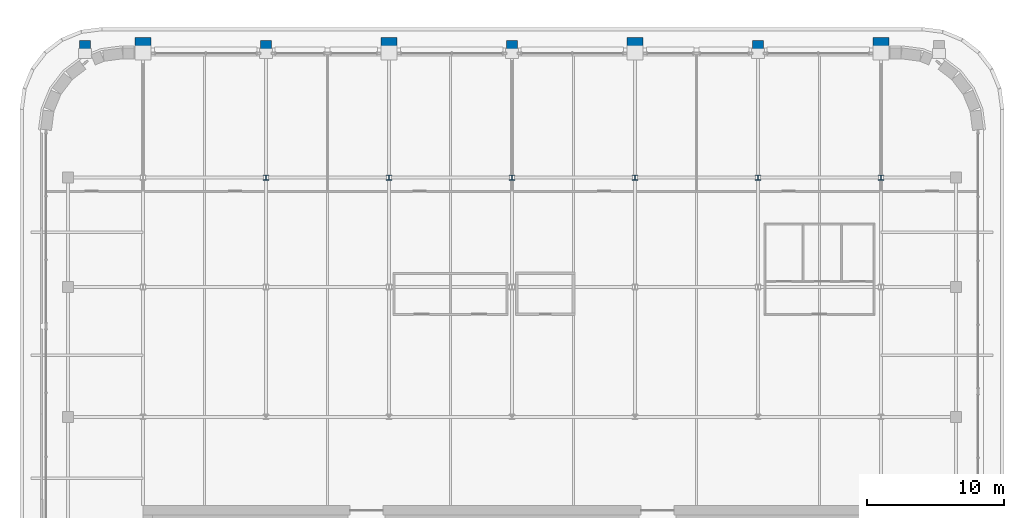
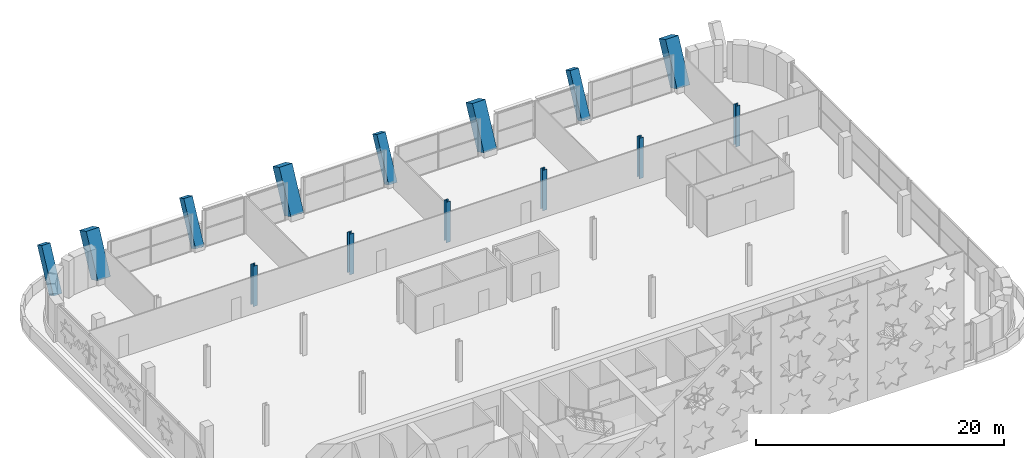
# One storey, part 3 of 25: 14 columns.
"""IFC4 building model written with IfcOpenShell, lengths in metres."""

from ifc_helpers import new_model, si_unit, direction, frame, origin, origin_2d, place, context, subcontext, project, spatial, rectangle, i_section, extrude, clip, halfspace, material, material_profile, profile_set, type_object, element, save


model = new_model("IFC4")

# Units and contexts
model_context = context("Model", 3, precision=1e-05, world=origin(), true_north=direction((0.0, 1.0)))
body_context = subcontext(model_context, "Body", "Model", "MODEL_VIEW")
ifc_project = project(units=[si_unit("LENGTHUNIT", "METRE"), si_unit("AREAUNIT", "SQUARE_METRE"), si_unit("VOLUMEUNIT", "CUBIC_METRE"), si_unit("PLANEANGLEUNIT", "RADIAN"), si_unit("MASSUNIT", "GRAM", prefix="KILO")], contexts=[model_context])

# Site, building, storey
site_placement = place(None, origin())
site = spatial("IfcSite", under=ifc_project, at=site_placement, CompositionType="ELEMENT")
building_placement = place(site_placement, origin())
building = spatial("IfcBuilding", under=site, at=building_placement, Name="Zellij Exchange Tower", CompositionType="ELEMENT")
storey_placement = place(building_placement, frame((0.0, 0.0, 264.5)))
storey = spatial("IfcBuildingStorey", under=building, at=storey_placement, Name="L62", CompositionType="ELEMENT", Elevation=264.5)

# Columns
ifc_material_1 = material(Name="Concrete C50/60", Category="concrete")
ifc_material_profile_1 = material_profile(ifc_material_1, rectangle(XDim=0.800048828125, YDim=0.800048828125, at=origin_2d()), Name="STR-COLUMN RC800x800 C50/60")
ifc_profile_set_1 = profile_set([ifc_material_profile_1], Name="Concrete C50/60")
column_type_1 = type_object("IfcColumnType", Name="STR-COLUMN RC800x800 C50/60", PredefinedType="COLUMN", material=ifc_profile_set_1)
for number, where, z_axis, x_axis, name in (
    (1, (-31.25, 31.0, 0.0), (0.0, 0.4472135955, 0.894427191), (-1.0, 0.0, 0.0), "C15"),
    (2, (-18.0, 31.0, 0.0), (0.0, 0.4472135955, 0.894427191), (-1.0, 0.0, 0.0), "C15"),
    (3, (0.0, 31.0, 0.0), (0.0, 0.4472135955, 0.894427191), (-1.0, 0.0, 0.0), "C15"),
    (4, (18.0, 31.0, 0.0), (0.0, 0.4472135955, 0.894427191), (-1.0, 0.0, 0.0), "C15"),
):
    element("IfcColumn", number, at=place(storey_placement, frame(where, z_axis=z_axis, x_axis=x_axis)), inside=storey, type_object=column_type_1, Name=name, PredefinedType="COLUMN", context=body_context, shape_type="Clipping", body=[
        clip(extrude(rectangle(XDim=0.800048828125, YDim=0.800048828125, at=origin_2d()), origin(), (0.0, 0.0, 1.0), 4.47216796875), halfspace(frame((0.0, 0.0, 0.199951171875)), True)),
    ])
ifc_material_2 = material(Name="Structural steel ASTM A992 Gr 50", Category="steel")
ifc_material_profile_2 = material_profile(ifc_material_2, i_section(OverallWidth=0.398681640625, OverallDepth=0.385986328125, WebThickness=0.02099609375, FlangeThickness=0.033203125, at=origin_2d()), Name="W14x176")
ifc_profile_set_2 = profile_set([ifc_material_profile_2], Name="Structural steel ASTM A992 Gr 50")
column_type_2 = type_object("IfcColumnType", Name="STR-COLUMN W14x176", PredefinedType="COLUMN", material=ifc_profile_set_2)
for number, where, z_axis, x_axis, name in (
    (5, (-18.0, 22.0, 0.0), (0.0, 0.0, 1.0), (1.0, 0.0, 0.0), "C2"),
    (6, (-9.0, 22.0, 0.0), (0.0, 0.0, 1.0), (1.0, 0.0, 0.0), "C2"),
    (7, (0.0, 22.0, 0.0), (0.0, 0.0, 1.0), (1.0, 0.0, 0.0), "C2"),
    (8, (9.0, 22.0, 0.0), (0.0, 0.0, 1.0), (1.0, 0.0, 0.0), "C2"),
    (9, (18.0, 22.0, 0.0), (0.0, 0.0, 1.0), (1.0, 0.0, 0.0), "C2"),
    (10, (27.0, 22.0, 0.0), (0.0, 0.0, 1.0), (1.0, 0.0, 0.0), "C2"),
):
    element("IfcColumn", number, at=place(storey_placement, frame(where, z_axis=z_axis, x_axis=x_axis)), inside=storey, type_object=column_type_2, Name=name, PredefinedType="COLUMN", context=body_context, shape_type="SweptSolid", body=[
        extrude(i_section(OverallWidth=0.398681640625, OverallDepth=0.385986328125, WebThickness=0.02099609375, FlangeThickness=0.033203125, at=origin_2d()), origin(), (0.0, 0.0, 1.0), 4.0),
    ])
ifc_material_profile_3 = material_profile(ifc_material_1, rectangle(XDim=1.199951171875, YDim=1.199951171875, at=origin_2d()), Name="STR-MEGA COLUMN RC1200x1200 C50/60")
ifc_profile_set_3 = profile_set([ifc_material_profile_3], Name="Concrete C50/60")
column_type_3 = type_object("IfcColumnType", Name="STR-MEGA COLUMN RC1200x1200 C50/60", PredefinedType="COLUMN", material=ifc_profile_set_3)
for number, where, z_axis, x_axis, name in (
    (11, (-27.0, 31.0, 0.0), (0.0, 0.4472135955, 0.894427191), (-1.0, 0.0, 0.0), "MC2"),
    (12, (-9.0, 31.0, 0.0), (0.0, 0.4472135955, 0.894427191), (-1.0, 0.0, 0.0), "MC2"),
    (13, (9.0, 31.0, 0.0), (0.0, 0.4472135955, 0.894427191), (-1.0, 0.0, 0.0), "MC2"),
    (14, (27.0, 31.0, 0.0), (0.0, 0.4472135955, 0.894427191), (-1.0, 0.0, 0.0), "MC2"),
):
    element("IfcColumn", number, at=place(storey_placement, frame(where, z_axis=z_axis, x_axis=x_axis)), inside=storey, type_object=column_type_3, Name=name, PredefinedType="COLUMN", context=body_context, shape_type="Clipping", body=[
        clip(extrude(rectangle(XDim=1.199951171875, YDim=1.199951171875, at=origin_2d()), origin(), (0.0, 0.0, 1.0), 4.47216796875), halfspace(frame((0.0, 0.0, 0.300048828125)), True)),
    ])

save(model, "model.ifc")
